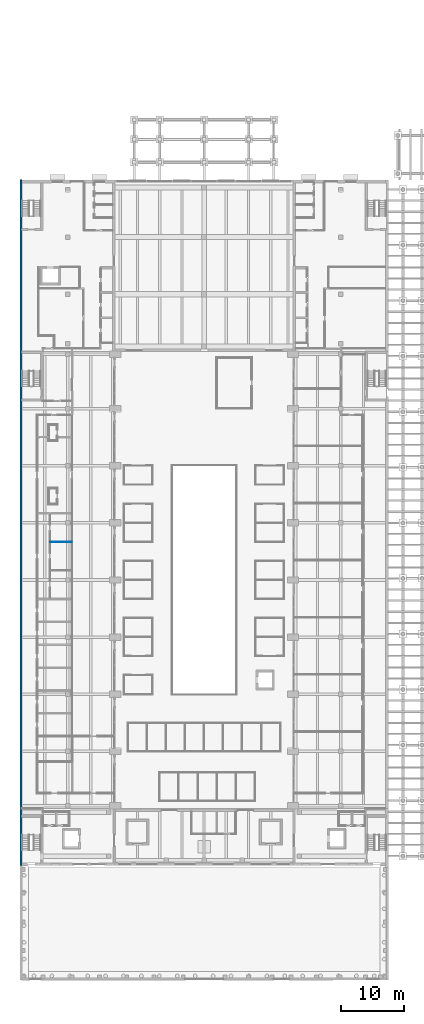
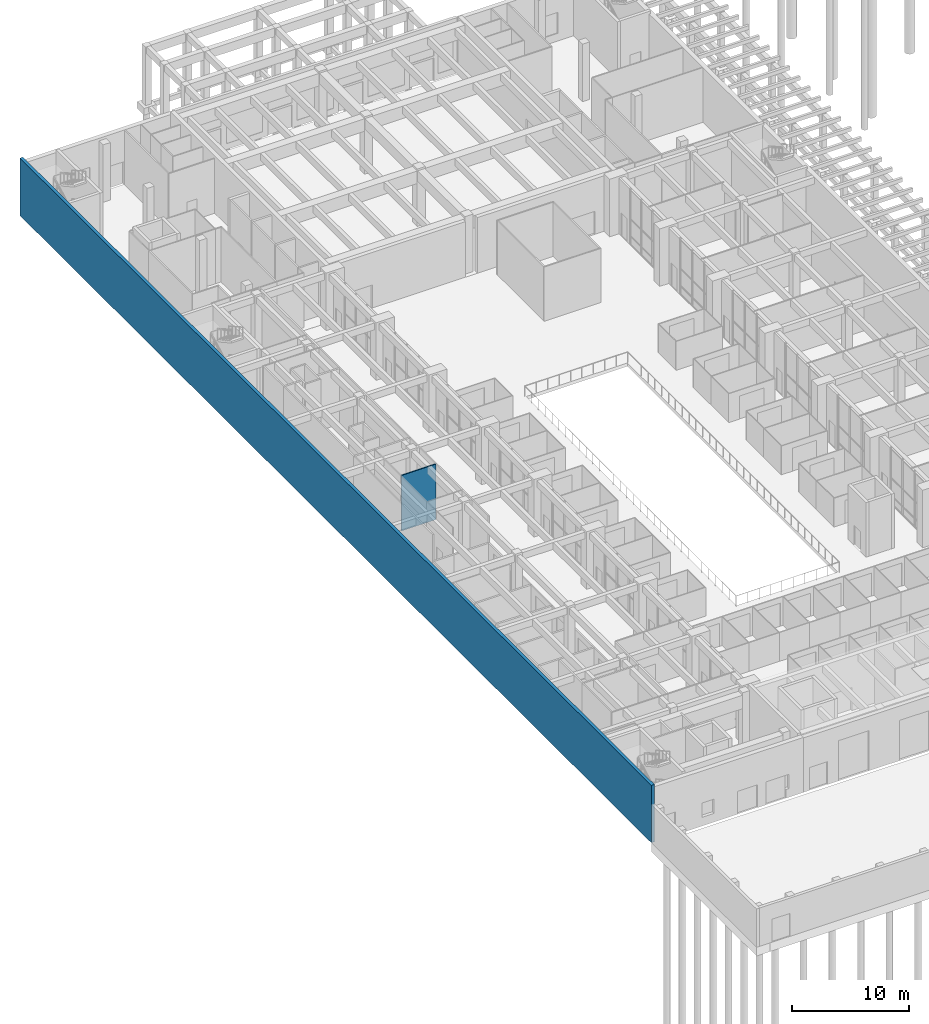
# One storey, part 34 of 51: 2 walls.
"""IFC4 building model written with IfcOpenShell, lengths in metres."""

from ifc_helpers import new_model, si_unit, direction, frame, frame_2d, origin, place, context, subcontext, project, spatial, rectangle, extrude, material, layer, layer_set, type_object, element, save


model = new_model("IFC4")

# Units and contexts
model_context = context("Model", 3, precision=1e-05, world=origin(), true_north=direction((0.0, 1.0)))
body_context = subcontext(model_context, "Body", "Model", "MODEL_VIEW")
ifc_project = project(units=[si_unit("LENGTHUNIT", "METRE"), si_unit("AREAUNIT", "SQUARE_METRE"), si_unit("VOLUMEUNIT", "CUBIC_METRE"), si_unit("PLANEANGLEUNIT", "RADIAN"), si_unit("MASSUNIT", "GRAM", prefix="KILO")], contexts=[model_context])

# Site, building, storey
site_placement = place(None, origin())
site = spatial("IfcSite", under=ifc_project, at=site_placement, CompositionType="ELEMENT")
building_placement = place(site_placement, origin())
building = spatial("IfcBuilding", under=site, at=building_placement, Name="Elmora Arch Market Hall", CompositionType="ELEMENT")
storey_placement = place(building_placement, origin())
storey = spatial("IfcBuildingStorey", under=building, at=storey_placement, Name="L00", CompositionType="ELEMENT", Elevation=0.0)

# Walls
ifc_material_1 = material(Name="Gypsum board on metal studs")
ifc_layer_1 = layer(ifc_material_1, 0.10009765625)
ifc_layer_set_1 = layer_set([ifc_layer_1], Name="Gypsum board on metal studs")
wall_type_1 = type_object("IfcWallType", Name="Partition 100", PredefinedType="PARTITIONING", material=ifc_layer_set_1)
wall_1_placement = place(storey_placement, frame((4.75, 69.0, 0.0), z_axis=(0.0, 0.0, 1.0), x_axis=(1.0, 0.0, 0.0)))
element("IfcWall", 1, at=wall_1_placement, inside=storey, type_object=wall_type_1, Name="Partition PT-L00-064", PredefinedType="PARTITIONING", context=body_context, shape_type="SweptSolid", body=[
    extrude(rectangle(XDim=3.387451171875, YDim=0.10009765625, at=frame_2d((1.69384765625, 0.0))), origin(), (0.0, 0.0, 1.0), 5.800048828125),
])
ifc_material_2 = material(Name="Concrete C40/50", Category="concrete")
ifc_layer_2 = layer(ifc_material_2, 0.300048828125)
ifc_layer_set_2 = layer_set([ifc_layer_2], Name="Concrete C40/50")
wall_type_2 = type_object("IfcWallType", Name="Party wall 300", PredefinedType="SHEAR", material=ifc_layer_set_2)
wall_2_placement = place(storey_placement, frame((0.14990234375, 18.0, 0.0), z_axis=(0.0, 0.0, 1.0), x_axis=(0.0, 1.0, 0.0)))
element("IfcWall", 2, at=wall_2_placement, inside=storey, type_object=wall_type_2, Name="Party wall W L00", PredefinedType="SHEAR", context=body_context, shape_type="SweptSolid", body=[
    extrude(rectangle(XDim=108.0, YDim=0.300048828125, at=frame_2d((54.0, 0.0))), origin(), (0.0, 0.0, 1.0), 6.0),
])

save(model, "model.ifc")
